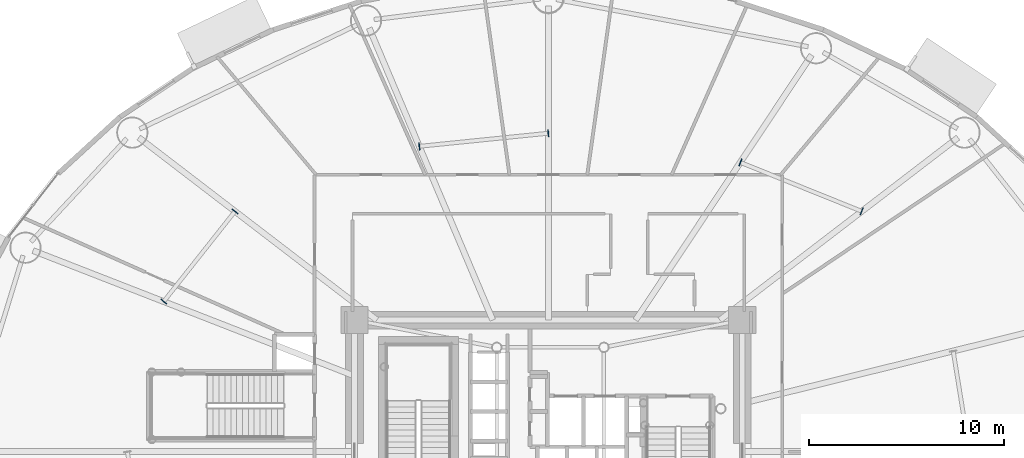
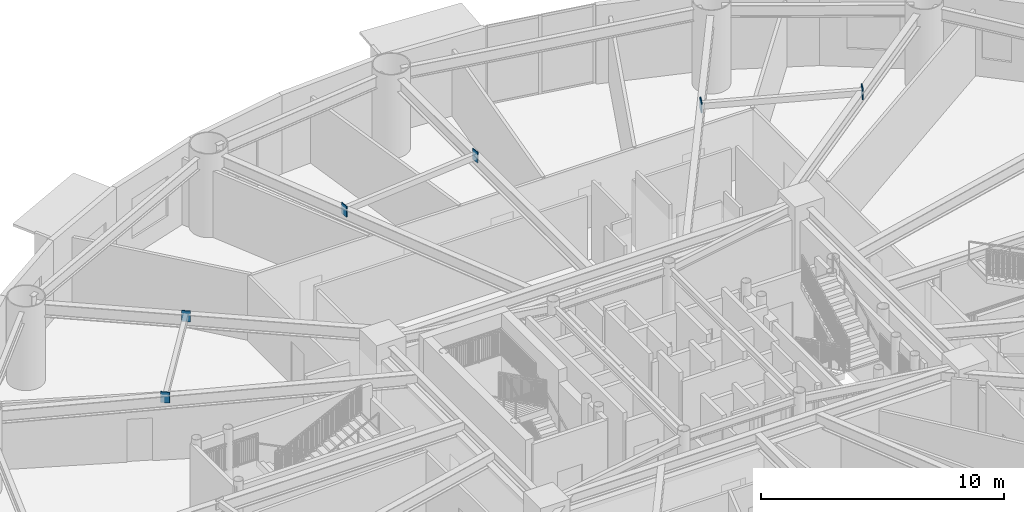
# One storey, part 15 of 32: 6 plates.
"""IFC4 building model written with IfcOpenShell, lengths in metres."""

from ifc_helpers import new_model, si_unit, direction, frame, origin, origin_2d, place, context, subcontext, project, spatial, rectangle, extrude, source, transform, mapped, material, layer, layer_set, type_object, element, save


model = new_model("IFC4")

# Units and contexts
model_context = context("Model", 3, precision=1e-05, world=origin(), true_north=direction((0.0, 1.0)))
body_context = subcontext(model_context, "Body", "Model", "MODEL_VIEW")
ifc_project = project(units=[si_unit("LENGTHUNIT", "METRE"), si_unit("AREAUNIT", "SQUARE_METRE"), si_unit("VOLUMEUNIT", "CUBIC_METRE"), si_unit("PLANEANGLEUNIT", "RADIAN"), si_unit("MASSUNIT", "GRAM", prefix="KILO")], contexts=[model_context])

# Site, building, storey
site_placement = place(None, origin())
site = spatial("IfcSite", under=ifc_project, at=site_placement, CompositionType="ELEMENT")
building_placement = place(site_placement, origin())
building = spatial("IfcBuilding", under=site, at=building_placement, Name="Linh Dai School and Residence Tower", CompositionType="ELEMENT")
storey_placement = place(building_placement, frame((0.0, 0.0, 53.39990234375)))
storey = spatial("IfcBuildingStorey", under=building, at=storey_placement, Name="L12", CompositionType="ELEMENT", Elevation=53.39990234375)

# Plates
ifc_material = material(Name="Structural Steel S355JR", Category="steel")
ifc_layer = layer(ifc_material, 0.0400390625)
ifc_layer_set = layer_set([ifc_layer], Name="Structural Steel S355JR")
plate_type = type_object("IfcPlateType", Name="PLT-GP1", PredefinedType="USERDEFINED", material=ifc_layer_set)
shared_shape = source(origin(), body_context, "Body", "SweptSolid", [
    extrude(rectangle(XDim=0.0400390625, YDim=0.3798828125, at=origin_2d()), origin(), (0.0, 0.0, 1.0), 0.5400390625),
])
for number, where, z_axis, x_axis, name in (
    (1, (52.078125, 39.3310546875, 3.530029296875), (0.0, 0.0, 1.0), (-0.927536459105, 0.373732681245, 0.0), "L12 Secondary Beam End Plate 02A"),
    (2, (45.8544921875, 41.838623046875, 3.530029296875), (0.0, 0.0, 1.0), (-0.927536459105, 0.373732681245, 0.0), "L12 Secondary Beam End Plate 02B"),
    (3, (35.9951171875, 43.3369140625, 3.530029296875), (0.0, 0.0, 1.0), (-0.994884100574, -0.101022900497, 0.0), "L12 Secondary Beam End Plate 03A"),
    (4, (29.378173828125, 42.6650390625, 3.530029296875), (0.0, 0.0, 1.0), (-0.994884100574, -0.101022900497, 0.0), "L12 Secondary Beam End Plate 03B"),
    (5, (19.914306640625, 39.3251953125, 3.530029296875), (0.0, 0.0, 1.0), (-0.620177637481, -0.784461406297, 0.0), "L12 Secondary Beam End Plate 04A"),
    (6, (16.259521484375, 34.702392578125, 3.530029296875), (0.0, 0.0, 1.0), (-0.620177637481, -0.784461406297, 0.0), "L12 Secondary Beam End Plate 04B"),
):
    element("IfcPlate", number, at=place(storey_placement, frame(where, z_axis=z_axis, x_axis=x_axis)), inside=storey, type_object=plate_type, Name=name, ObjectType="GUSSET PLATE", PredefinedType="USERDEFINED", context=body_context, shape_type="MappedRepresentation", body=[
        mapped(shared_shape, transform((0.0, 0.0, 0.0), x_axis=(1.0, 0.0, 0.0), y_axis=(0.0, 1.0, 0.0), z_axis=(0.0, 0.0, 1.0), scale=1.0)),
    ])

save(model, "model.ifc")
